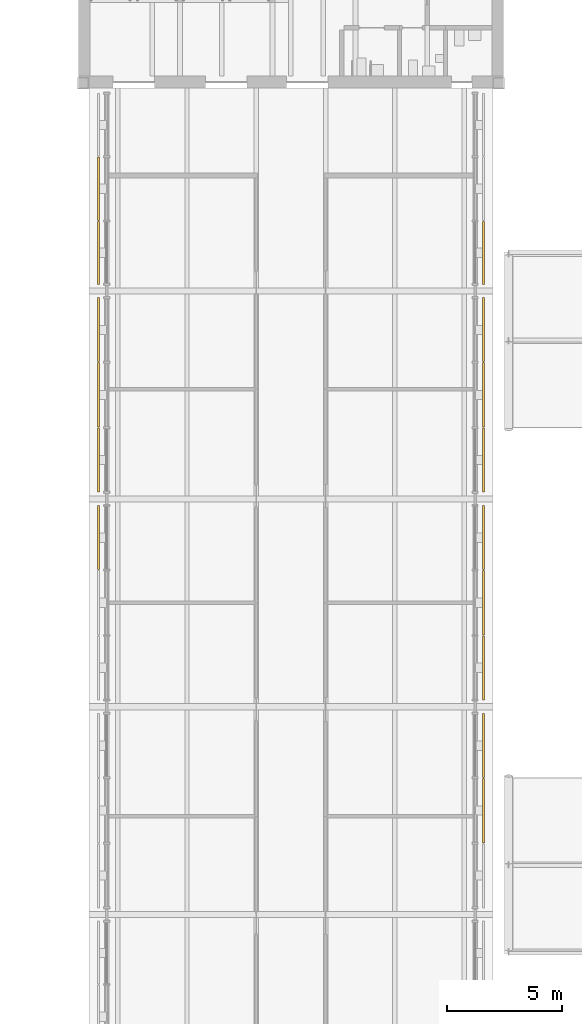
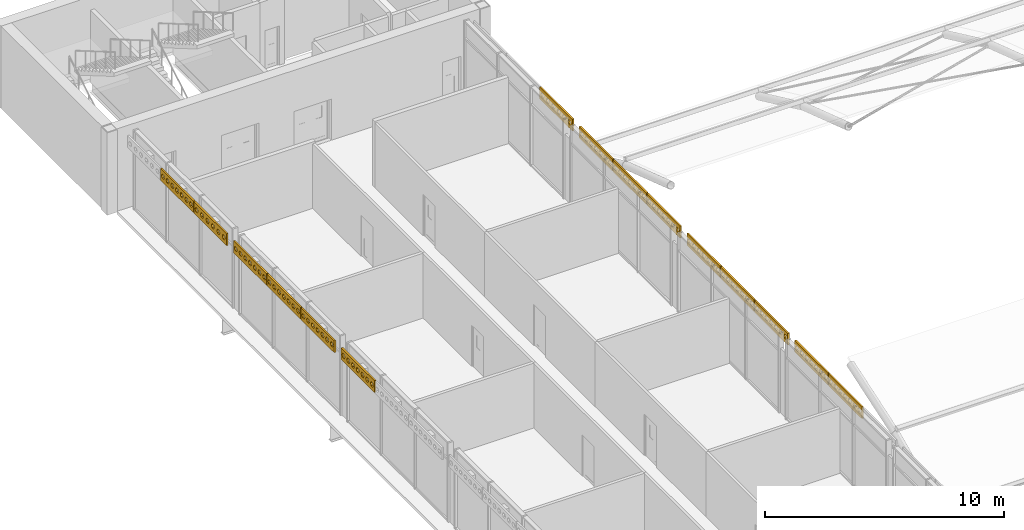
# One storey, part 44 of 54: 15 shading devices.
"""IFC4 building model written with IfcOpenShell, lengths in metres."""

from ifc_helpers import new_model, si_unit, direction, frame, origin, place, context, subcontext, project, spatial, polyline, outline, extrude, material, layer, layer_set, type_object, element, save


model = new_model("IFC4")

# Units and contexts
model_context = context("Model", 3, precision=1e-05, world=origin(), true_north=direction((0.0, 1.0)))
body_context = subcontext(model_context, "Body", "Model", "MODEL_VIEW")
ifc_project = project(units=[si_unit("LENGTHUNIT", "METRE"), si_unit("AREAUNIT", "SQUARE_METRE"), si_unit("VOLUMEUNIT", "CUBIC_METRE"), si_unit("PLANEANGLEUNIT", "RADIAN"), si_unit("MASSUNIT", "GRAM", prefix="KILO")], contexts=[model_context])

# Site, building, storey
site_placement = place(None, origin())
site = spatial("IfcSite", under=ifc_project, at=site_placement, CompositionType="ELEMENT")
building_placement = place(site_placement, origin())
building = spatial("IfcBuilding", under=site, at=building_placement, Name="Baradari Gate Terminus", CompositionType="ELEMENT")
storey_placement = place(building_placement, frame((0.0, 0.0, 15.89990234375)))
storey = spatial("IfcBuildingStorey", under=building, at=storey_placement, Name="L03", CompositionType="ELEMENT", Elevation=15.89990234375)

# Shading devices
ifc_material = material(Name="Concrete C50/60 precast", Category="concrete")
ifc_layer = layer(ifc_material, 0.080078125)
ifc_layer_set = layer_set([ifc_layer], Name="Concrete C50/60 precast")
shading_device_type = type_object("IfcShadingDeviceType", Name="Jali screen panel JS-3 80", PredefinedType="SHUTTER", material=ifc_layer_set)
shading_device_1_placement = place(storey_placement, frame((72.659912109375, 59.936767578125, 3.280029296875), z_axis=(0.0, 0.0, 1.0), x_axis=(0.0, 1.0, 0.0)))
element("IfcShadingDevice", 1, at=shading_device_1_placement, inside=storey, type_object=shading_device_type, Name="Jali screen panel JS-1 L03/GW3 bay 3", PredefinedType="SHUTTER", context=body_context, shape_type="SweptSolid", body=[
    extrude(outline(polyline([(0.0, 0.0), (2.773193359375, 0.0), (2.773193359375, 0.60009765625), (0.0, 0.60009765625), (0.0, 0.0)]), holes=[polyline([(0.328125, 0.300048828125), (0.26318359375, 0.1875), (0.133056640625, 0.1875), (0.068115234375, 0.300048828125), (0.133056640625, 0.41259765625), (0.26318359375, 0.41259765625), (0.328125, 0.300048828125)]), polyline([(0.724365234375, 0.300048828125), (0.6591796875, 0.1875), (0.529296875, 0.1875), (0.46435546875, 0.300048828125), (0.529296875, 0.41259765625), (0.6591796875, 0.41259765625), (0.724365234375, 0.300048828125)]), polyline([(1.120361328125, 0.300048828125), (1.055419921875, 0.1875), (0.925537109375, 0.1875), (0.860595703125, 0.300048828125), (0.925537109375, 0.41259765625), (1.055419921875, 0.41259765625), (1.120361328125, 0.300048828125)]), polyline([(1.5166015625, 0.300048828125), (1.45166015625, 0.1875), (1.32177734375, 0.1875), (1.256591796875, 0.300048828125), (1.32177734375, 0.41259765625), (1.45166015625, 0.41259765625), (1.5166015625, 0.300048828125)]), polyline([(1.912841796875, 0.300048828125), (1.847900390625, 0.1875), (1.7177734375, 0.1875), (1.65283203125, 0.300048828125), (1.7177734375, 0.41259765625), (1.847900390625, 0.41259765625), (1.912841796875, 0.300048828125)]), polyline([(2.30908203125, 0.300048828125), (2.244140625, 0.1875), (2.114013671875, 0.1875), (2.049072265625, 0.300048828125), (2.114013671875, 0.41259765625), (2.244140625, 0.41259765625), (2.30908203125, 0.300048828125)]), polyline([(2.705322265625, 0.300048828125), (2.64013671875, 0.1875), (2.51025390625, 0.1875), (2.4453125, 0.300048828125), (2.51025390625, 0.41259765625), (2.64013671875, 0.41259765625), (2.705322265625, 0.300048828125)])]), frame((0.0, 0.0400390625, 0.0), z_axis=(0.0, -1.0, 0.0), x_axis=(1.0, 0.0, 0.0)), (0.0, 0.0, 1.0), 0.080078125),
])
shading_device_2_placement = place(storey_placement, frame((72.659912109375, 63.2900390625, 3.280029296875), z_axis=(0.0, 0.0, 1.0), x_axis=(0.0, 1.0, 0.0)))
element("IfcShadingDevice", 2, at=shading_device_2_placement, inside=storey, type_object=shading_device_type, Name="Jali screen panel JS-1 L03/GW4 bay 1", PredefinedType="SHUTTER", context=body_context, shape_type="SweptSolid", body=[
    extrude(outline(polyline([(0.0, 0.0), (2.773193359375, 0.0), (2.773193359375, 0.60009765625), (0.0, 0.60009765625), (0.0, 0.0)]), holes=[polyline([(0.328125, 0.300048828125), (0.26318359375, 0.1875), (0.133056640625, 0.1875), (0.068115234375, 0.300048828125), (0.133056640625, 0.41259765625), (0.26318359375, 0.41259765625), (0.328125, 0.300048828125)]), polyline([(0.724365234375, 0.300048828125), (0.6591796875, 0.1875), (0.529296875, 0.1875), (0.46435546875, 0.300048828125), (0.529296875, 0.41259765625), (0.6591796875, 0.41259765625), (0.724365234375, 0.300048828125)]), polyline([(1.120361328125, 0.300048828125), (1.055419921875, 0.1875), (0.925537109375, 0.1875), (0.860595703125, 0.300048828125), (0.925537109375, 0.41259765625), (1.055419921875, 0.41259765625), (1.120361328125, 0.300048828125)]), polyline([(1.5166015625, 0.300048828125), (1.45166015625, 0.1875), (1.32177734375, 0.1875), (1.256591796875, 0.300048828125), (1.32177734375, 0.41259765625), (1.45166015625, 0.41259765625), (1.5166015625, 0.300048828125)]), polyline([(1.912841796875, 0.300048828125), (1.847900390625, 0.1875), (1.7177734375, 0.1875), (1.65283203125, 0.300048828125), (1.7177734375, 0.41259765625), (1.847900390625, 0.41259765625), (1.912841796875, 0.300048828125)]), polyline([(2.30908203125, 0.300048828125), (2.244140625, 0.1875), (2.114013671875, 0.1875), (2.049072265625, 0.300048828125), (2.114013671875, 0.41259765625), (2.244140625, 0.41259765625), (2.30908203125, 0.300048828125)]), polyline([(2.705322265625, 0.300048828125), (2.64013671875, 0.1875), (2.51025390625, 0.1875), (2.4453125, 0.300048828125), (2.51025390625, 0.41259765625), (2.64013671875, 0.41259765625), (2.705322265625, 0.300048828125)])]), frame((0.0, 0.0400390625, 0.0), z_axis=(0.0, -1.0, 0.0), x_axis=(1.0, 0.0, 0.0)), (0.0, 0.0, 1.0), 0.080078125),
])
shading_device_3_placement = place(storey_placement, frame((72.659912109375, 66.103271484375, 3.280029296875), z_axis=(0.0, 0.0, 1.0), x_axis=(0.0, 1.0, 0.0)))
element("IfcShadingDevice", 3, at=shading_device_3_placement, inside=storey, type_object=shading_device_type, Name="Jali screen panel JS-1 L03/GW4 bay 2", PredefinedType="SHUTTER", context=body_context, shape_type="SweptSolid", body=[
    extrude(outline(polyline([(0.0, 0.0), (2.79345703125, 0.0), (2.79345703125, 0.60009765625), (0.0, 0.60009765625), (0.0, 0.0)]), holes=[polyline([(0.32958984375, 0.300048828125), (0.264404296875, 0.1875), (0.134521484375, 0.1875), (0.069580078125, 0.300048828125), (0.134521484375, 0.41259765625), (0.264404296875, 0.41259765625), (0.32958984375, 0.300048828125)]), polyline([(0.728515625, 0.300048828125), (0.66357421875, 0.1875), (0.53369140625, 0.1875), (0.468505859375, 0.300048828125), (0.53369140625, 0.41259765625), (0.66357421875, 0.41259765625), (0.728515625, 0.300048828125)]), polyline([(1.127685546875, 0.300048828125), (1.0625, 0.1875), (0.9326171875, 0.1875), (0.86767578125, 0.300048828125), (0.9326171875, 0.41259765625), (1.0625, 0.41259765625), (1.127685546875, 0.300048828125)]), polyline([(1.526611328125, 0.300048828125), (1.461669921875, 0.1875), (1.331787109375, 0.1875), (1.2666015625, 0.300048828125), (1.331787109375, 0.41259765625), (1.461669921875, 0.41259765625), (1.526611328125, 0.300048828125)]), polyline([(1.92578125, 0.300048828125), (1.860595703125, 0.1875), (1.730712890625, 0.1875), (1.665771484375, 0.300048828125), (1.730712890625, 0.41259765625), (1.860595703125, 0.41259765625), (1.92578125, 0.300048828125)]), polyline([(2.32470703125, 0.300048828125), (2.259765625, 0.1875), (2.1298828125, 0.1875), (2.064697265625, 0.300048828125), (2.1298828125, 0.41259765625), (2.259765625, 0.41259765625), (2.32470703125, 0.300048828125)]), polyline([(2.723876953125, 0.300048828125), (2.65869140625, 0.1875), (2.52880859375, 0.1875), (2.4638671875, 0.300048828125), (2.52880859375, 0.41259765625), (2.65869140625, 0.41259765625), (2.723876953125, 0.300048828125)])]), frame((0.0, 0.0400390625, 0.0), z_axis=(0.0, -1.0, 0.0), x_axis=(1.0, 0.0, 0.0)), (0.0, 0.0, 1.0), 0.080078125),
])
shading_device_4_placement = place(storey_placement, frame((72.659912109375, 68.936767578125, 3.280029296875), z_axis=(0.0, 0.0, 1.0), x_axis=(0.0, 1.0, 0.0)))
element("IfcShadingDevice", 4, at=shading_device_4_placement, inside=storey, type_object=shading_device_type, Name="Jali screen panel JS-1 L03/GW4 bay 3", PredefinedType="SHUTTER", context=body_context, shape_type="SweptSolid", body=[
    extrude(outline(polyline([(0.0, 0.0), (2.773193359375, 0.0), (2.773193359375, 0.60009765625), (0.0, 0.60009765625), (0.0, 0.0)]), holes=[polyline([(0.328125, 0.300048828125), (0.26318359375, 0.1875), (0.133056640625, 0.1875), (0.068115234375, 0.300048828125), (0.133056640625, 0.41259765625), (0.26318359375, 0.41259765625), (0.328125, 0.300048828125)]), polyline([(0.724365234375, 0.300048828125), (0.6591796875, 0.1875), (0.529296875, 0.1875), (0.46435546875, 0.300048828125), (0.529296875, 0.41259765625), (0.6591796875, 0.41259765625), (0.724365234375, 0.300048828125)]), polyline([(1.120361328125, 0.300048828125), (1.055419921875, 0.1875), (0.925537109375, 0.1875), (0.860595703125, 0.300048828125), (0.925537109375, 0.41259765625), (1.055419921875, 0.41259765625), (1.120361328125, 0.300048828125)]), polyline([(1.5166015625, 0.300048828125), (1.45166015625, 0.1875), (1.32177734375, 0.1875), (1.256591796875, 0.300048828125), (1.32177734375, 0.41259765625), (1.45166015625, 0.41259765625), (1.5166015625, 0.300048828125)]), polyline([(1.912841796875, 0.300048828125), (1.847900390625, 0.1875), (1.7177734375, 0.1875), (1.65283203125, 0.300048828125), (1.7177734375, 0.41259765625), (1.847900390625, 0.41259765625), (1.912841796875, 0.300048828125)]), polyline([(2.30908203125, 0.300048828125), (2.244140625, 0.1875), (2.114013671875, 0.1875), (2.049072265625, 0.300048828125), (2.114013671875, 0.41259765625), (2.244140625, 0.41259765625), (2.30908203125, 0.300048828125)]), polyline([(2.705322265625, 0.300048828125), (2.64013671875, 0.1875), (2.51025390625, 0.1875), (2.4453125, 0.300048828125), (2.51025390625, 0.41259765625), (2.64013671875, 0.41259765625), (2.705322265625, 0.300048828125)])]), frame((0.0, 0.0400390625, 0.0), z_axis=(0.0, -1.0, 0.0), x_axis=(1.0, 0.0, 0.0)), (0.0, 0.0, 1.0), 0.080078125),
])
shading_device_5_placement = place(storey_placement, frame((72.659912109375, 72.2900390625, 3.280029296875), z_axis=(0.0, 0.0, 1.0), x_axis=(0.0, 1.0, 0.0)))
element("IfcShadingDevice", 5, at=shading_device_5_placement, inside=storey, type_object=shading_device_type, Name="Jali screen panel JS-1 L03/GW5 bay 1", PredefinedType="SHUTTER", context=body_context, shape_type="SweptSolid", body=[
    extrude(outline(polyline([(0.0, 0.0), (2.723388671875, 0.0), (2.723388671875, 0.60009765625), (0.0, 0.60009765625), (0.0, 0.0)]), holes=[polyline([(0.35693359375, 0.300048828125), (0.2919921875, 0.1875), (0.161865234375, 0.1875), (0.096923828125, 0.300048828125), (0.161865234375, 0.41259765625), (0.2919921875, 0.41259765625), (0.35693359375, 0.300048828125)]), polyline([(0.810791015625, 0.300048828125), (0.745849609375, 0.1875), (0.61572265625, 0.1875), (0.55078125, 0.300048828125), (0.61572265625, 0.41259765625), (0.745849609375, 0.41259765625), (0.810791015625, 0.300048828125)]), polyline([(1.2646484375, 0.300048828125), (1.19970703125, 0.1875), (1.06982421875, 0.1875), (1.004638671875, 0.300048828125), (1.06982421875, 0.41259765625), (1.19970703125, 0.41259765625), (1.2646484375, 0.300048828125)]), polyline([(1.718505859375, 0.300048828125), (1.653564453125, 0.1875), (1.523681640625, 0.1875), (1.45849609375, 0.300048828125), (1.523681640625, 0.41259765625), (1.653564453125, 0.41259765625), (1.718505859375, 0.300048828125)]), polyline([(2.172607421875, 0.300048828125), (2.107421875, 0.1875), (1.9775390625, 0.1875), (1.91259765625, 0.300048828125), (1.9775390625, 0.41259765625), (2.107421875, 0.41259765625), (2.172607421875, 0.300048828125)]), polyline([(2.62646484375, 0.300048828125), (2.561279296875, 0.1875), (2.431396484375, 0.1875), (2.366455078125, 0.300048828125), (2.431396484375, 0.41259765625), (2.561279296875, 0.41259765625), (2.62646484375, 0.300048828125)])]), frame((0.0, 0.0400390625, 0.0), z_axis=(0.0, -1.0, 0.0), x_axis=(1.0, 0.0, 0.0)), (0.0, 0.0, 1.0), 0.080078125),
])
shading_device_6_placement = place(storey_placement, frame((72.659912109375, 75.05322265625, 3.280029296875), z_axis=(0.0, 0.0, 1.0), x_axis=(0.0, 1.0, 0.0)))
element("IfcShadingDevice", 6, at=shading_device_6_placement, inside=storey, type_object=shading_device_type, Name="Jali screen panel JS-1 L03/GW5 bay 2", PredefinedType="SHUTTER", context=body_context, shape_type="SweptSolid", body=[
    extrude(outline(polyline([(0.0, 0.0), (2.743408203125, 0.0), (2.743408203125, 0.60009765625), (0.0, 0.60009765625), (0.0, 0.0)]), holes=[polyline([(0.325927734375, 0.300048828125), (0.260986328125, 0.1875), (0.130859375, 0.1875), (0.06591796875, 0.300048828125), (0.130859375, 0.41259765625), (0.260986328125, 0.41259765625), (0.325927734375, 0.300048828125)]), polyline([(0.7177734375, 0.300048828125), (0.65283203125, 0.1875), (0.52294921875, 0.1875), (0.457763671875, 0.300048828125), (0.52294921875, 0.41259765625), (0.65283203125, 0.41259765625), (0.7177734375, 0.300048828125)]), polyline([(1.10986328125, 0.300048828125), (1.044677734375, 0.1875), (0.914794921875, 0.1875), (0.849853515625, 0.300048828125), (0.914794921875, 0.41259765625), (1.044677734375, 0.41259765625), (1.10986328125, 0.300048828125)]), polyline([(1.501708984375, 0.300048828125), (1.436767578125, 0.1875), (1.306640625, 0.1875), (1.24169921875, 0.300048828125), (1.306640625, 0.41259765625), (1.436767578125, 0.41259765625), (1.501708984375, 0.300048828125)]), polyline([(1.8935546875, 0.300048828125), (1.82861328125, 0.1875), (1.698486328125, 0.1875), (1.633544921875, 0.300048828125), (1.698486328125, 0.41259765625), (1.82861328125, 0.41259765625), (1.8935546875, 0.300048828125)]), polyline([(2.285400390625, 0.300048828125), (2.220458984375, 0.1875), (2.090576171875, 0.1875), (2.025390625, 0.300048828125), (2.090576171875, 0.41259765625), (2.220458984375, 0.41259765625), (2.285400390625, 0.300048828125)]), polyline([(2.677490234375, 0.300048828125), (2.6123046875, 0.1875), (2.482421875, 0.1875), (2.41748046875, 0.300048828125), (2.482421875, 0.41259765625), (2.6123046875, 0.41259765625), (2.677490234375, 0.300048828125)])]), frame((0.0, 0.0400390625, 0.0), z_axis=(0.0, -1.0, 0.0), x_axis=(1.0, 0.0, 0.0)), (0.0, 0.0, 1.0), 0.080078125),
])
shading_device_7_placement = place(storey_placement, frame((89.340087890625, 48.103271484375, 3.280029296875), z_axis=(0.0, 0.0, 1.0), x_axis=(0.0, 1.0, 0.0)))
element("IfcShadingDevice", 7, at=shading_device_7_placement, inside=storey, type_object=shading_device_type, Name="Jali screen panel JS-1 L03/GE2 bay 2", PredefinedType="SHUTTER", context=body_context, shape_type="SweptSolid", body=[
    extrude(outline(polyline([(0.0, 0.0), (2.79345703125, 0.0), (2.79345703125, 0.60009765625), (0.0, 0.60009765625), (0.0, 0.0)]), holes=[polyline([(0.32958984375, 0.300048828125), (0.264404296875, 0.1875), (0.134521484375, 0.1875), (0.069580078125, 0.300048828125), (0.134521484375, 0.41259765625), (0.264404296875, 0.41259765625), (0.32958984375, 0.300048828125)]), polyline([(0.728515625, 0.300048828125), (0.66357421875, 0.1875), (0.53369140625, 0.1875), (0.468505859375, 0.300048828125), (0.53369140625, 0.41259765625), (0.66357421875, 0.41259765625), (0.728515625, 0.300048828125)]), polyline([(1.127685546875, 0.300048828125), (1.0625, 0.1875), (0.9326171875, 0.1875), (0.86767578125, 0.300048828125), (0.9326171875, 0.41259765625), (1.0625, 0.41259765625), (1.127685546875, 0.300048828125)]), polyline([(1.526611328125, 0.300048828125), (1.461669921875, 0.1875), (1.331787109375, 0.1875), (1.2666015625, 0.300048828125), (1.331787109375, 0.41259765625), (1.461669921875, 0.41259765625), (1.526611328125, 0.300048828125)]), polyline([(1.92578125, 0.300048828125), (1.860595703125, 0.1875), (1.730712890625, 0.1875), (1.665771484375, 0.300048828125), (1.730712890625, 0.41259765625), (1.860595703125, 0.41259765625), (1.92578125, 0.300048828125)]), polyline([(2.32470703125, 0.300048828125), (2.259765625, 0.1875), (2.1298828125, 0.1875), (2.064697265625, 0.300048828125), (2.1298828125, 0.41259765625), (2.259765625, 0.41259765625), (2.32470703125, 0.300048828125)]), polyline([(2.723876953125, 0.300048828125), (2.65869140625, 0.1875), (2.52880859375, 0.1875), (2.4638671875, 0.300048828125), (2.52880859375, 0.41259765625), (2.65869140625, 0.41259765625), (2.723876953125, 0.300048828125)])]), frame((0.0, 0.0400390625, 0.0), z_axis=(0.0, -1.0, 0.0), x_axis=(1.0, 0.0, 0.0)), (0.0, 0.0, 1.0), 0.080078125),
])
shading_device_8_placement = place(storey_placement, frame((89.340087890625, 50.936767578125, 3.280029296875), z_axis=(0.0, 0.0, 1.0), x_axis=(0.0, 1.0, 0.0)))
element("IfcShadingDevice", 8, at=shading_device_8_placement, inside=storey, type_object=shading_device_type, Name="Jali screen panel JS-1 L03/GE2 bay 3", PredefinedType="SHUTTER", context=body_context, shape_type="SweptSolid", body=[
    extrude(outline(polyline([(0.0, 0.0), (2.773193359375, 0.0), (2.773193359375, 0.60009765625), (0.0, 0.60009765625), (0.0, 0.0)]), holes=[polyline([(0.328125, 0.300048828125), (0.26318359375, 0.1875), (0.133056640625, 0.1875), (0.068115234375, 0.300048828125), (0.133056640625, 0.41259765625), (0.26318359375, 0.41259765625), (0.328125, 0.300048828125)]), polyline([(0.724365234375, 0.300048828125), (0.6591796875, 0.1875), (0.529296875, 0.1875), (0.46435546875, 0.300048828125), (0.529296875, 0.41259765625), (0.6591796875, 0.41259765625), (0.724365234375, 0.300048828125)]), polyline([(1.120361328125, 0.300048828125), (1.055419921875, 0.1875), (0.925537109375, 0.1875), (0.860595703125, 0.300048828125), (0.925537109375, 0.41259765625), (1.055419921875, 0.41259765625), (1.120361328125, 0.300048828125)]), polyline([(1.5166015625, 0.300048828125), (1.45166015625, 0.1875), (1.32177734375, 0.1875), (1.256591796875, 0.300048828125), (1.32177734375, 0.41259765625), (1.45166015625, 0.41259765625), (1.5166015625, 0.300048828125)]), polyline([(1.912841796875, 0.300048828125), (1.847900390625, 0.1875), (1.7177734375, 0.1875), (1.65283203125, 0.300048828125), (1.7177734375, 0.41259765625), (1.847900390625, 0.41259765625), (1.912841796875, 0.300048828125)]), polyline([(2.30908203125, 0.300048828125), (2.244140625, 0.1875), (2.114013671875, 0.1875), (2.049072265625, 0.300048828125), (2.114013671875, 0.41259765625), (2.244140625, 0.41259765625), (2.30908203125, 0.300048828125)]), polyline([(2.705322265625, 0.300048828125), (2.64013671875, 0.1875), (2.51025390625, 0.1875), (2.4453125, 0.300048828125), (2.51025390625, 0.41259765625), (2.64013671875, 0.41259765625), (2.705322265625, 0.300048828125)])]), frame((0.0, 0.0400390625, 0.0), z_axis=(0.0, -1.0, 0.0), x_axis=(1.0, 0.0, 0.0)), (0.0, 0.0, 1.0), 0.080078125),
])
shading_device_9_placement = place(storey_placement, frame((89.340087890625, 54.2900390625, 3.280029296875), z_axis=(0.0, 0.0, 1.0), x_axis=(0.0, 1.0, 0.0)))
element("IfcShadingDevice", 9, at=shading_device_9_placement, inside=storey, type_object=shading_device_type, Name="Jali screen panel JS-1 L03/GE3 bay 1", PredefinedType="SHUTTER", context=body_context, shape_type="SweptSolid", body=[
    extrude(outline(polyline([(0.0, 0.0), (2.773193359375, 0.0), (2.773193359375, 0.60009765625), (0.0, 0.60009765625), (0.0, 0.0)]), holes=[polyline([(0.328125, 0.300048828125), (0.26318359375, 0.1875), (0.133056640625, 0.1875), (0.068115234375, 0.300048828125), (0.133056640625, 0.41259765625), (0.26318359375, 0.41259765625), (0.328125, 0.300048828125)]), polyline([(0.724365234375, 0.300048828125), (0.6591796875, 0.1875), (0.529296875, 0.1875), (0.46435546875, 0.300048828125), (0.529296875, 0.41259765625), (0.6591796875, 0.41259765625), (0.724365234375, 0.300048828125)]), polyline([(1.120361328125, 0.300048828125), (1.055419921875, 0.1875), (0.925537109375, 0.1875), (0.860595703125, 0.300048828125), (0.925537109375, 0.41259765625), (1.055419921875, 0.41259765625), (1.120361328125, 0.300048828125)]), polyline([(1.5166015625, 0.300048828125), (1.45166015625, 0.1875), (1.32177734375, 0.1875), (1.256591796875, 0.300048828125), (1.32177734375, 0.41259765625), (1.45166015625, 0.41259765625), (1.5166015625, 0.300048828125)]), polyline([(1.912841796875, 0.300048828125), (1.847900390625, 0.1875), (1.7177734375, 0.1875), (1.65283203125, 0.300048828125), (1.7177734375, 0.41259765625), (1.847900390625, 0.41259765625), (1.912841796875, 0.300048828125)]), polyline([(2.30908203125, 0.300048828125), (2.244140625, 0.1875), (2.114013671875, 0.1875), (2.049072265625, 0.300048828125), (2.114013671875, 0.41259765625), (2.244140625, 0.41259765625), (2.30908203125, 0.300048828125)]), polyline([(2.705322265625, 0.300048828125), (2.64013671875, 0.1875), (2.51025390625, 0.1875), (2.4453125, 0.300048828125), (2.51025390625, 0.41259765625), (2.64013671875, 0.41259765625), (2.705322265625, 0.300048828125)])]), frame((0.0, 0.0400390625, 0.0), z_axis=(0.0, -1.0, 0.0), x_axis=(1.0, 0.0, 0.0)), (0.0, 0.0, 1.0), 0.080078125),
])
shading_device_10_placement = place(storey_placement, frame((89.340087890625, 57.103271484375, 3.280029296875), z_axis=(0.0, 0.0, 1.0), x_axis=(0.0, 1.0, 0.0)))
element("IfcShadingDevice", 10, at=shading_device_10_placement, inside=storey, type_object=shading_device_type, Name="Jali screen panel JS-1 L03/GE3 bay 2", PredefinedType="SHUTTER", context=body_context, shape_type="SweptSolid", body=[
    extrude(outline(polyline([(0.0, 0.0), (2.79345703125, 0.0), (2.79345703125, 0.60009765625), (0.0, 0.60009765625), (0.0, 0.0)]), holes=[polyline([(0.32958984375, 0.300048828125), (0.264404296875, 0.1875), (0.134521484375, 0.1875), (0.069580078125, 0.300048828125), (0.134521484375, 0.41259765625), (0.264404296875, 0.41259765625), (0.32958984375, 0.300048828125)]), polyline([(0.728515625, 0.300048828125), (0.66357421875, 0.1875), (0.53369140625, 0.1875), (0.468505859375, 0.300048828125), (0.53369140625, 0.41259765625), (0.66357421875, 0.41259765625), (0.728515625, 0.300048828125)]), polyline([(1.127685546875, 0.300048828125), (1.0625, 0.1875), (0.9326171875, 0.1875), (0.86767578125, 0.300048828125), (0.9326171875, 0.41259765625), (1.0625, 0.41259765625), (1.127685546875, 0.300048828125)]), polyline([(1.526611328125, 0.300048828125), (1.461669921875, 0.1875), (1.331787109375, 0.1875), (1.2666015625, 0.300048828125), (1.331787109375, 0.41259765625), (1.461669921875, 0.41259765625), (1.526611328125, 0.300048828125)]), polyline([(1.92578125, 0.300048828125), (1.860595703125, 0.1875), (1.730712890625, 0.1875), (1.665771484375, 0.300048828125), (1.730712890625, 0.41259765625), (1.860595703125, 0.41259765625), (1.92578125, 0.300048828125)]), polyline([(2.32470703125, 0.300048828125), (2.259765625, 0.1875), (2.1298828125, 0.1875), (2.064697265625, 0.300048828125), (2.1298828125, 0.41259765625), (2.259765625, 0.41259765625), (2.32470703125, 0.300048828125)]), polyline([(2.723876953125, 0.300048828125), (2.65869140625, 0.1875), (2.52880859375, 0.1875), (2.4638671875, 0.300048828125), (2.52880859375, 0.41259765625), (2.65869140625, 0.41259765625), (2.723876953125, 0.300048828125)])]), frame((0.0, 0.0400390625, 0.0), z_axis=(0.0, -1.0, 0.0), x_axis=(1.0, 0.0, 0.0)), (0.0, 0.0, 1.0), 0.080078125),
])
shading_device_11_placement = place(storey_placement, frame((89.340087890625, 59.936767578125, 3.280029296875), z_axis=(0.0, 0.0, 1.0), x_axis=(0.0, 1.0, 0.0)))
element("IfcShadingDevice", 11, at=shading_device_11_placement, inside=storey, type_object=shading_device_type, Name="Jali screen panel JS-1 L03/GE3 bay 3", PredefinedType="SHUTTER", context=body_context, shape_type="SweptSolid", body=[
    extrude(outline(polyline([(0.0, 0.0), (2.773193359375, 0.0), (2.773193359375, 0.60009765625), (0.0, 0.60009765625), (0.0, 0.0)]), holes=[polyline([(0.328125, 0.300048828125), (0.26318359375, 0.1875), (0.133056640625, 0.1875), (0.068115234375, 0.300048828125), (0.133056640625, 0.41259765625), (0.26318359375, 0.41259765625), (0.328125, 0.300048828125)]), polyline([(0.724365234375, 0.300048828125), (0.6591796875, 0.1875), (0.529296875, 0.1875), (0.46435546875, 0.300048828125), (0.529296875, 0.41259765625), (0.6591796875, 0.41259765625), (0.724365234375, 0.300048828125)]), polyline([(1.120361328125, 0.300048828125), (1.055419921875, 0.1875), (0.925537109375, 0.1875), (0.860595703125, 0.300048828125), (0.925537109375, 0.41259765625), (1.055419921875, 0.41259765625), (1.120361328125, 0.300048828125)]), polyline([(1.5166015625, 0.300048828125), (1.45166015625, 0.1875), (1.32177734375, 0.1875), (1.256591796875, 0.300048828125), (1.32177734375, 0.41259765625), (1.45166015625, 0.41259765625), (1.5166015625, 0.300048828125)]), polyline([(1.912841796875, 0.300048828125), (1.847900390625, 0.1875), (1.7177734375, 0.1875), (1.65283203125, 0.300048828125), (1.7177734375, 0.41259765625), (1.847900390625, 0.41259765625), (1.912841796875, 0.300048828125)]), polyline([(2.30908203125, 0.300048828125), (2.244140625, 0.1875), (2.114013671875, 0.1875), (2.049072265625, 0.300048828125), (2.114013671875, 0.41259765625), (2.244140625, 0.41259765625), (2.30908203125, 0.300048828125)]), polyline([(2.705322265625, 0.300048828125), (2.64013671875, 0.1875), (2.51025390625, 0.1875), (2.4453125, 0.300048828125), (2.51025390625, 0.41259765625), (2.64013671875, 0.41259765625), (2.705322265625, 0.300048828125)])]), frame((0.0, 0.0400390625, 0.0), z_axis=(0.0, -1.0, 0.0), x_axis=(1.0, 0.0, 0.0)), (0.0, 0.0, 1.0), 0.080078125),
])
shading_device_12_placement = place(storey_placement, frame((89.340087890625, 63.2900390625, 3.280029296875), z_axis=(0.0, 0.0, 1.0), x_axis=(0.0, 1.0, 0.0)))
element("IfcShadingDevice", 12, at=shading_device_12_placement, inside=storey, type_object=shading_device_type, Name="Jali screen panel JS-1 L03/GE4 bay 1", PredefinedType="SHUTTER", context=body_context, shape_type="SweptSolid", body=[
    extrude(outline(polyline([(0.0, 0.0), (2.773193359375, 0.0), (2.773193359375, 0.60009765625), (0.0, 0.60009765625), (0.0, 0.0)]), holes=[polyline([(0.328125, 0.300048828125), (0.26318359375, 0.1875), (0.133056640625, 0.1875), (0.068115234375, 0.300048828125), (0.133056640625, 0.41259765625), (0.26318359375, 0.41259765625), (0.328125, 0.300048828125)]), polyline([(0.724365234375, 0.300048828125), (0.6591796875, 0.1875), (0.529296875, 0.1875), (0.46435546875, 0.300048828125), (0.529296875, 0.41259765625), (0.6591796875, 0.41259765625), (0.724365234375, 0.300048828125)]), polyline([(1.120361328125, 0.300048828125), (1.055419921875, 0.1875), (0.925537109375, 0.1875), (0.860595703125, 0.300048828125), (0.925537109375, 0.41259765625), (1.055419921875, 0.41259765625), (1.120361328125, 0.300048828125)]), polyline([(1.5166015625, 0.300048828125), (1.45166015625, 0.1875), (1.32177734375, 0.1875), (1.256591796875, 0.300048828125), (1.32177734375, 0.41259765625), (1.45166015625, 0.41259765625), (1.5166015625, 0.300048828125)]), polyline([(1.912841796875, 0.300048828125), (1.847900390625, 0.1875), (1.7177734375, 0.1875), (1.65283203125, 0.300048828125), (1.7177734375, 0.41259765625), (1.847900390625, 0.41259765625), (1.912841796875, 0.300048828125)]), polyline([(2.30908203125, 0.300048828125), (2.244140625, 0.1875), (2.114013671875, 0.1875), (2.049072265625, 0.300048828125), (2.114013671875, 0.41259765625), (2.244140625, 0.41259765625), (2.30908203125, 0.300048828125)]), polyline([(2.705322265625, 0.300048828125), (2.64013671875, 0.1875), (2.51025390625, 0.1875), (2.4453125, 0.300048828125), (2.51025390625, 0.41259765625), (2.64013671875, 0.41259765625), (2.705322265625, 0.300048828125)])]), frame((0.0, 0.0400390625, 0.0), z_axis=(0.0, -1.0, 0.0), x_axis=(1.0, 0.0, 0.0)), (0.0, 0.0, 1.0), 0.080078125),
])
shading_device_13_placement = place(storey_placement, frame((89.340087890625, 66.103271484375, 3.280029296875), z_axis=(0.0, 0.0, 1.0), x_axis=(0.0, 1.0, 0.0)))
element("IfcShadingDevice", 13, at=shading_device_13_placement, inside=storey, type_object=shading_device_type, Name="Jali screen panel JS-1 L03/GE4 bay 2", PredefinedType="SHUTTER", context=body_context, shape_type="SweptSolid", body=[
    extrude(outline(polyline([(0.0, 0.0), (2.79345703125, 0.0), (2.79345703125, 0.60009765625), (0.0, 0.60009765625), (0.0, 0.0)]), holes=[polyline([(0.32958984375, 0.300048828125), (0.264404296875, 0.1875), (0.134521484375, 0.1875), (0.069580078125, 0.300048828125), (0.134521484375, 0.41259765625), (0.264404296875, 0.41259765625), (0.32958984375, 0.300048828125)]), polyline([(0.728515625, 0.300048828125), (0.66357421875, 0.1875), (0.53369140625, 0.1875), (0.468505859375, 0.300048828125), (0.53369140625, 0.41259765625), (0.66357421875, 0.41259765625), (0.728515625, 0.300048828125)]), polyline([(1.127685546875, 0.300048828125), (1.0625, 0.1875), (0.9326171875, 0.1875), (0.86767578125, 0.300048828125), (0.9326171875, 0.41259765625), (1.0625, 0.41259765625), (1.127685546875, 0.300048828125)]), polyline([(1.526611328125, 0.300048828125), (1.461669921875, 0.1875), (1.331787109375, 0.1875), (1.2666015625, 0.300048828125), (1.331787109375, 0.41259765625), (1.461669921875, 0.41259765625), (1.526611328125, 0.300048828125)]), polyline([(1.92578125, 0.300048828125), (1.860595703125, 0.1875), (1.730712890625, 0.1875), (1.665771484375, 0.300048828125), (1.730712890625, 0.41259765625), (1.860595703125, 0.41259765625), (1.92578125, 0.300048828125)]), polyline([(2.32470703125, 0.300048828125), (2.259765625, 0.1875), (2.1298828125, 0.1875), (2.064697265625, 0.300048828125), (2.1298828125, 0.41259765625), (2.259765625, 0.41259765625), (2.32470703125, 0.300048828125)]), polyline([(2.723876953125, 0.300048828125), (2.65869140625, 0.1875), (2.52880859375, 0.1875), (2.4638671875, 0.300048828125), (2.52880859375, 0.41259765625), (2.65869140625, 0.41259765625), (2.723876953125, 0.300048828125)])]), frame((0.0, 0.0400390625, 0.0), z_axis=(0.0, -1.0, 0.0), x_axis=(1.0, 0.0, 0.0)), (0.0, 0.0, 1.0), 0.080078125),
])
shading_device_14_placement = place(storey_placement, frame((89.340087890625, 68.936767578125, 3.280029296875), z_axis=(0.0, 0.0, 1.0), x_axis=(0.0, 1.0, 0.0)))
element("IfcShadingDevice", 14, at=shading_device_14_placement, inside=storey, type_object=shading_device_type, Name="Jali screen panel JS-1 L03/GE4 bay 3", PredefinedType="SHUTTER", context=body_context, shape_type="SweptSolid", body=[
    extrude(outline(polyline([(0.0, 0.0), (2.773193359375, 0.0), (2.773193359375, 0.60009765625), (0.0, 0.60009765625), (0.0, 0.0)]), holes=[polyline([(0.328125, 0.300048828125), (0.26318359375, 0.1875), (0.133056640625, 0.1875), (0.068115234375, 0.300048828125), (0.133056640625, 0.41259765625), (0.26318359375, 0.41259765625), (0.328125, 0.300048828125)]), polyline([(0.724365234375, 0.300048828125), (0.6591796875, 0.1875), (0.529296875, 0.1875), (0.46435546875, 0.300048828125), (0.529296875, 0.41259765625), (0.6591796875, 0.41259765625), (0.724365234375, 0.300048828125)]), polyline([(1.120361328125, 0.300048828125), (1.055419921875, 0.1875), (0.925537109375, 0.1875), (0.860595703125, 0.300048828125), (0.925537109375, 0.41259765625), (1.055419921875, 0.41259765625), (1.120361328125, 0.300048828125)]), polyline([(1.5166015625, 0.300048828125), (1.45166015625, 0.1875), (1.32177734375, 0.1875), (1.256591796875, 0.300048828125), (1.32177734375, 0.41259765625), (1.45166015625, 0.41259765625), (1.5166015625, 0.300048828125)]), polyline([(1.912841796875, 0.300048828125), (1.847900390625, 0.1875), (1.7177734375, 0.1875), (1.65283203125, 0.300048828125), (1.7177734375, 0.41259765625), (1.847900390625, 0.41259765625), (1.912841796875, 0.300048828125)]), polyline([(2.30908203125, 0.300048828125), (2.244140625, 0.1875), (2.114013671875, 0.1875), (2.049072265625, 0.300048828125), (2.114013671875, 0.41259765625), (2.244140625, 0.41259765625), (2.30908203125, 0.300048828125)]), polyline([(2.705322265625, 0.300048828125), (2.64013671875, 0.1875), (2.51025390625, 0.1875), (2.4453125, 0.300048828125), (2.51025390625, 0.41259765625), (2.64013671875, 0.41259765625), (2.705322265625, 0.300048828125)])]), frame((0.0, 0.0400390625, 0.0), z_axis=(0.0, -1.0, 0.0), x_axis=(1.0, 0.0, 0.0)), (0.0, 0.0, 1.0), 0.080078125),
])
shading_device_15_placement = place(storey_placement, frame((89.340087890625, 72.2900390625, 3.280029296875), z_axis=(0.0, 0.0, 1.0), x_axis=(0.0, 1.0, 0.0)))
element("IfcShadingDevice", 15, at=shading_device_15_placement, inside=storey, type_object=shading_device_type, Name="Jali screen panel JS-1 L03/GE5 bay 1", PredefinedType="SHUTTER", context=body_context, shape_type="SweptSolid", body=[
    extrude(outline(polyline([(0.0, 0.0), (2.723388671875, 0.0), (2.723388671875, 0.60009765625), (0.0, 0.60009765625), (0.0, 0.0)]), holes=[polyline([(0.35693359375, 0.300048828125), (0.2919921875, 0.1875), (0.161865234375, 0.1875), (0.096923828125, 0.300048828125), (0.161865234375, 0.41259765625), (0.2919921875, 0.41259765625), (0.35693359375, 0.300048828125)]), polyline([(0.810791015625, 0.300048828125), (0.745849609375, 0.1875), (0.61572265625, 0.1875), (0.55078125, 0.300048828125), (0.61572265625, 0.41259765625), (0.745849609375, 0.41259765625), (0.810791015625, 0.300048828125)]), polyline([(1.2646484375, 0.300048828125), (1.19970703125, 0.1875), (1.06982421875, 0.1875), (1.004638671875, 0.300048828125), (1.06982421875, 0.41259765625), (1.19970703125, 0.41259765625), (1.2646484375, 0.300048828125)]), polyline([(1.718505859375, 0.300048828125), (1.653564453125, 0.1875), (1.523681640625, 0.1875), (1.45849609375, 0.300048828125), (1.523681640625, 0.41259765625), (1.653564453125, 0.41259765625), (1.718505859375, 0.300048828125)]), polyline([(2.172607421875, 0.300048828125), (2.107421875, 0.1875), (1.9775390625, 0.1875), (1.91259765625, 0.300048828125), (1.9775390625, 0.41259765625), (2.107421875, 0.41259765625), (2.172607421875, 0.300048828125)]), polyline([(2.62646484375, 0.300048828125), (2.561279296875, 0.1875), (2.431396484375, 0.1875), (2.366455078125, 0.300048828125), (2.431396484375, 0.41259765625), (2.561279296875, 0.41259765625), (2.62646484375, 0.300048828125)])]), frame((0.0, 0.0400390625, 0.0), z_axis=(0.0, -1.0, 0.0), x_axis=(1.0, 0.0, 0.0)), (0.0, 0.0, 1.0), 0.080078125),
])

save(model, "model.ifc")
